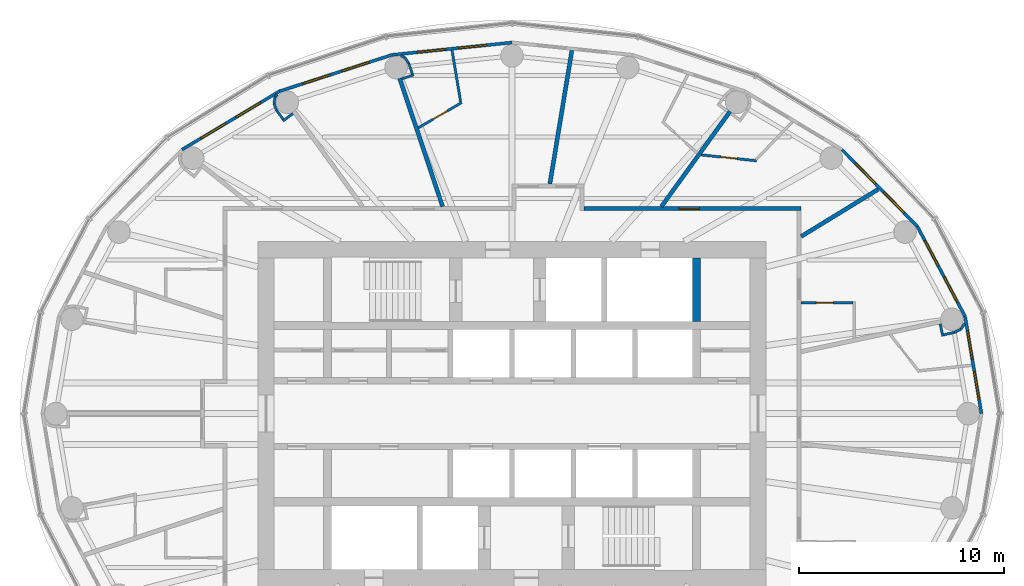
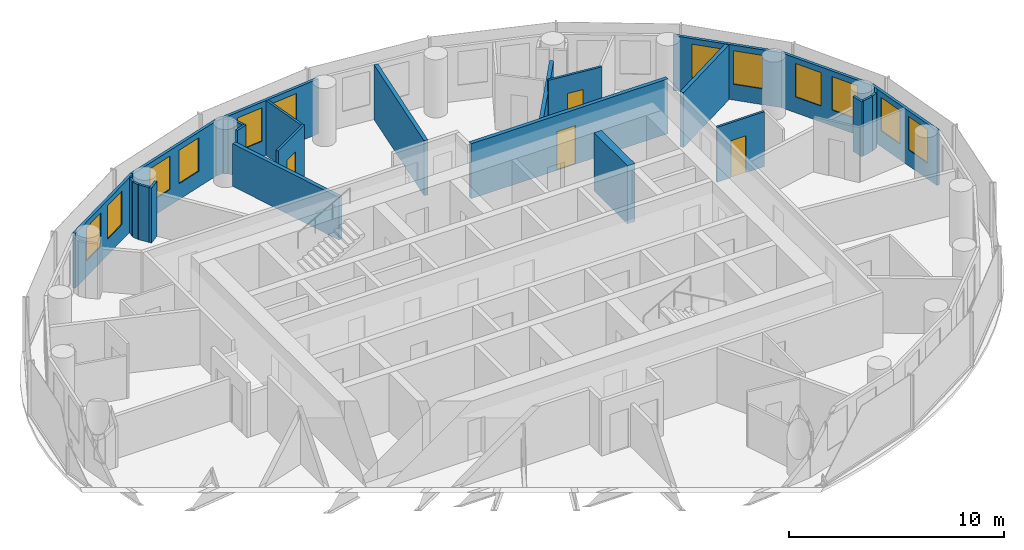
# One storey, part 11 of 13: 29 walls, 12 windows, 4 doors, 16 openings.
"""IFC4 building model written with IfcOpenShell, lengths in metres."""

from ifc_helpers import new_model, si_unit, direction, frame, frame_2d, origin, place, context, subcontext, project, spatial, rectangle, extrude, material, layer, layer_set, type_object, element, fill, save


model = new_model("IFC4")

# Units and contexts
model_context = context("Model", 3, precision=1e-05, world=origin(), true_north=direction((0.0, 1.0)))
body_context = subcontext(model_context, "Body", "Model", "MODEL_VIEW")
ifc_project = project(units=[si_unit("LENGTHUNIT", "METRE"), si_unit("AREAUNIT", "SQUARE_METRE"), si_unit("VOLUMEUNIT", "CUBIC_METRE"), si_unit("PLANEANGLEUNIT", "RADIAN"), si_unit("MASSUNIT", "GRAM", prefix="KILO")], contexts=[model_context])

# Site, building, storey
site_placement = place(None, origin())
site = spatial("IfcSite", under=ifc_project, at=site_placement, CompositionType="ELEMENT")
building_placement = place(site_placement, origin())
building = spatial("IfcBuilding", under=site, at=building_placement, Name="Hankou Lantern Tower", CompositionType="ELEMENT")
storey_placement = place(building_placement, frame((0.0, 0.0, 163.199951171875)))
storey = spatial("IfcBuildingStorey", under=building, at=storey_placement, Name="L43", CompositionType="ELEMENT", Elevation=163.199951171875)

# Wall
ifc_material_1 = material(Name="Concrete C60", Category="concrete")
ifc_layer_1 = layer(ifc_material_1, 0.39990234375)
ifc_layer_set_1 = layer_set([ifc_layer_1], Name="Concrete C60")
wall_type_1 = type_object("IfcWallType", Name="CW4 CORE CROSS WALL 400", PredefinedType="SHEAR", material=ifc_layer_set_1)
wall_1_placement = place(storey_placement, frame((9.0, 4.5, 0.0), z_axis=(0.0, 0.0, 1.0), x_axis=(0.0, 1.0, 0.0)))
element("IfcWall", 1, at=wall_1_placement, inside=storey, type_object=wall_type_1, Name="Core strip wall L43", PredefinedType="SHEAR", context=body_context, shape_type="SweptSolid", body=[
    extrude(rectangle(XDim=3.10009765625, YDim=0.39990234375, at=frame_2d((1.550048828125, 0.0))), origin(), (0.0, 0.0, 1.0), 3.300048828125),
])

# Wall, openings, windows
ifc_material_2 = material(Name="Aluminium spandrel panel on steel studs", Category="steel")
ifc_layer_2 = layer(ifc_material_2, 0.14990234375)
ifc_layer_set_2 = layer_set([ifc_layer_2], Name="Aluminium spandrel panel on steel studs")
wall_type_2 = type_object("IfcWallType", Name="EW1 INNER SKIN WALL 150", PredefinedType="ELEMENTEDWALL", material=ifc_layer_set_2)
wall_2_placement = place(storey_placement, frame((22.89990234375, 0.0, 0.0), z_axis=(0.0, 0.0, 1.0), x_axis=(-0.166162111254, 0.986098449843, 0.0)))
wall_2 = element("IfcWall", 2, at=wall_2_placement, inside=storey, type_object=wall_type_2, Name="Inner skin R01-R02 L43", PredefinedType="ELEMENTEDWALL", context=body_context, shape_type="SweptSolid", body=[
    extrude(rectangle(XDim=4.8046875, YDim=0.14990234375, at=frame_2d((2.40234375, 0.0))), origin(), (0.0, 0.0, 1.0), 3.1201171875),
])
opening_1_placement = place(wall_2_placement, frame((0.7021484375, 0.0, 0.89990234375)))
opening_1 = element("IfcOpeningElement", 3, at=opening_1_placement, cuts=wall_2, Name="Opening W3", PredefinedType="OPENING", context=body_context, shape_type="SweptSolid", body=[
    extrude(rectangle(XDim=1.39990234375, YDim=1.89990234375, at=frame_2d((0.699951171875, 0.949951171875))), frame((0.0, 0.0849609375, 0.0), z_axis=(0.0, -1.0, 0.0), x_axis=(1.0, 0.0, 0.0)), (0.0, 0.0, 1.0), 0.169921875),
])
opening_2_placement = place(wall_2_placement, frame((2.7021484375, 0.0, 0.89990234375)))
opening_2 = element("IfcOpeningElement", 4, at=opening_2_placement, cuts=wall_2, Name="Opening W3", PredefinedType="OPENING", context=body_context, shape_type="SweptSolid", body=[
    extrude(rectangle(XDim=1.39990234375, YDim=1.89990234375, at=frame_2d((0.699951171875, 0.949951171875))), frame((0.0, 0.0849609375, 0.0), z_axis=(0.0, -1.0, 0.0), x_axis=(1.0, 0.0, 0.0)), (0.0, 0.0, 1.0), 0.169921875),
])
ifc_material_3 = material(Name="Aluminium framed double glazed window", Category="aluminium")
window_type = type_object("IfcWindowType", Name="W3 GUEST ROOM WINDOW 1400X1900", PartitioningType="DOUBLE_PANEL_VERTICAL", PredefinedType="WINDOW", material=ifc_material_3)
window_1_placement = place(opening_1_placement, origin())
window_1 = element("IfcWindow", 5, at=window_1_placement, inside=storey, type_object=window_type, Name="Window R01.1 L43", OverallHeight=1.89990234375, OverallWidth=1.39990234375, PartitioningType="SINGLE_PANEL", PredefinedType="WINDOW", context=body_context, shape_type="SweptSolid", body=[
    extrude(rectangle(XDim=1.39990234375, YDim=1.89990234375, at=frame_2d((0.699951171875, 0.949951171875))), frame((0.0, 0.030029296875, 0.0), z_axis=(0.0, -1.0, 0.0), x_axis=(1.0, 0.0, 0.0)), (0.0, 0.0, 1.0), 0.06005859375),
])
fill(opening_1, window_1)
window_2_placement = place(opening_2_placement, origin())
window_2 = element("IfcWindow", 6, at=window_2_placement, inside=storey, type_object=window_type, Name="Window R01.2 L43", OverallHeight=1.89990234375, OverallWidth=1.39990234375, PartitioningType="SINGLE_PANEL", PredefinedType="WINDOW", context=body_context, shape_type="SweptSolid", body=[
    extrude(rectangle(XDim=1.39990234375, YDim=1.89990234375, at=frame_2d((0.699951171875, 0.949951171875))), frame((0.0, 0.030029296875, 0.0), z_axis=(0.0, -1.0, 0.0), x_axis=(1.0, 0.0, 0.0)), (0.0, 0.0, 1.0), 0.06005859375),
])
fill(opening_2, window_2)

wall_3_placement = place(storey_placement, frame((22.1015625, 4.73779296875, 0.0), z_axis=(0.0, 0.0, 1.0), x_axis=(-0.468428906714, 0.883501193748, 0.0)))
wall_3 = element("IfcWall", 7, at=wall_3_placement, inside=storey, type_object=wall_type_2, Name="Inner skin R02-R03 L43", PredefinedType="ELEMENTEDWALL", context=body_context, shape_type="SweptSolid", body=[
    extrude(rectangle(XDim=4.9736328125, YDim=0.14990234375, at=frame_2d((2.48681640625, 0.0))), origin(), (0.0, 0.0, 1.0), 3.1201171875),
])
opening_3_placement = place(wall_3_placement, frame((0.786865234375, 0.0, 0.89990234375)))
opening_3 = element("IfcOpeningElement", 8, at=opening_3_placement, cuts=wall_3, Name="Opening W3", PredefinedType="OPENING", context=body_context, shape_type="SweptSolid", body=[
    extrude(rectangle(XDim=1.39990234375, YDim=1.89990234375, at=frame_2d((0.699951171875, 0.949951171875))), frame((0.0, 0.0849609375, 0.0), z_axis=(0.0, -1.0, 0.0), x_axis=(1.0, 0.0, 0.0)), (0.0, 0.0, 1.0), 0.169921875),
])
opening_4_placement = place(wall_3_placement, frame((2.786865234375, 0.0, 0.89990234375)))
opening_4 = element("IfcOpeningElement", 9, at=opening_4_placement, cuts=wall_3, Name="Opening W3", PredefinedType="OPENING", context=body_context, shape_type="SweptSolid", body=[
    extrude(rectangle(XDim=1.39990234375, YDim=1.89990234375, at=frame_2d((0.699951171875, 0.949951171875))), frame((0.0, 0.0849609375, 0.0), z_axis=(0.0, -1.0, 0.0), x_axis=(1.0, 0.0, 0.0)), (0.0, 0.0, 1.0), 0.169921875),
])
window_3_placement = place(opening_3_placement, origin())
window_3 = element("IfcWindow", 10, at=window_3_placement, inside=storey, type_object=window_type, Name="Window R02.1 L43", OverallHeight=1.89990234375, OverallWidth=1.39990234375, PartitioningType="SINGLE_PANEL", PredefinedType="WINDOW", context=body_context, shape_type="SweptSolid", body=[
    extrude(rectangle(XDim=1.39990234375, YDim=1.89990234375, at=frame_2d((0.699951171875, 0.949951171875))), frame((0.0, 0.030029296875, 0.0), z_axis=(0.0, -1.0, 0.0), x_axis=(1.0, 0.0, 0.0)), (0.0, 0.0, 1.0), 0.06005859375),
])
fill(opening_3, window_3)
window_4_placement = place(opening_4_placement, origin())
window_4 = element("IfcWindow", 11, at=window_4_placement, inside=storey, type_object=window_type, Name="Window R02.2 L43", OverallHeight=1.89990234375, OverallWidth=1.39990234375, PartitioningType="SINGLE_PANEL", PredefinedType="WINDOW", context=body_context, shape_type="SweptSolid", body=[
    extrude(rectangle(XDim=1.39990234375, YDim=1.89990234375, at=frame_2d((0.699951171875, 0.949951171875))), frame((0.0, 0.030029296875, 0.0), z_axis=(0.0, -1.0, 0.0), x_axis=(1.0, 0.0, 0.0)), (0.0, 0.0, 1.0), 0.06005859375),
])
fill(opening_4, window_4)

wall_4_placement = place(storey_placement, frame((19.771728515625, 9.132080078125, 0.0), z_axis=(0.0, 0.0, 1.0), x_axis=(-0.700727467776, 0.71342905457, 0.0)))
wall_4 = element("IfcWall", 12, at=wall_4_placement, inside=storey, type_object=wall_type_2, Name="Inner skin R03-R04 L43", PredefinedType="ELEMENTEDWALL", context=body_context, shape_type="SweptSolid", body=[
    extrude(rectangle(XDim=5.247314453125, YDim=0.14990234375, at=frame_2d((2.62353515625, 0.0))), origin(), (0.0, 0.0, 1.0), 3.1201171875),
])
opening_5_placement = place(wall_4_placement, frame((0.923583984375, 0.0, 0.89990234375)))
opening_5 = element("IfcOpeningElement", 13, at=opening_5_placement, cuts=wall_4, Name="Opening W3", PredefinedType="OPENING", context=body_context, shape_type="SweptSolid", body=[
    extrude(rectangle(XDim=1.39990234375, YDim=1.89990234375, at=frame_2d((0.699951171875, 0.949951171875))), frame((0.0, 0.0849609375, 0.0), z_axis=(0.0, -1.0, 0.0), x_axis=(1.0, 0.0, 0.0)), (0.0, 0.0, 1.0), 0.169921875),
])
opening_6_placement = place(wall_4_placement, frame((2.923583984375, 0.0, 0.89990234375)))
opening_6 = element("IfcOpeningElement", 14, at=opening_6_placement, cuts=wall_4, Name="Opening W3", PredefinedType="OPENING", context=body_context, shape_type="SweptSolid", body=[
    extrude(rectangle(XDim=1.39990234375, YDim=1.89990234375, at=frame_2d((0.699951171875, 0.949951171875))), frame((0.0, 0.0849609375, 0.0), z_axis=(0.0, -1.0, 0.0), x_axis=(1.0, 0.0, 0.0)), (0.0, 0.0, 1.0), 0.169921875),
])
window_5_placement = place(opening_5_placement, origin())
window_5 = element("IfcWindow", 15, at=window_5_placement, inside=storey, type_object=window_type, Name="Window R03.1 L43", OverallHeight=1.89990234375, OverallWidth=1.39990234375, PartitioningType="SINGLE_PANEL", PredefinedType="WINDOW", context=body_context, shape_type="SweptSolid", body=[
    extrude(rectangle(XDim=1.39990234375, YDim=1.89990234375, at=frame_2d((0.699951171875, 0.949951171875))), frame((0.0, 0.030029296875, 0.0), z_axis=(0.0, -1.0, 0.0), x_axis=(1.0, 0.0, 0.0)), (0.0, 0.0, 1.0), 0.06005859375),
])
fill(opening_5, window_5)
window_6_placement = place(opening_6_placement, origin())
window_6 = element("IfcWindow", 16, at=window_6_placement, inside=storey, type_object=window_type, Name="Window R03.2 L43", OverallHeight=1.89990234375, OverallWidth=1.39990234375, PartitioningType="SINGLE_PANEL", PredefinedType="WINDOW", context=body_context, shape_type="SweptSolid", body=[
    extrude(rectangle(XDim=1.39990234375, YDim=1.89990234375, at=frame_2d((0.699951171875, 0.949951171875))), frame((0.0, 0.030029296875, 0.0), z_axis=(0.0, -1.0, 0.0), x_axis=(1.0, 0.0, 0.0)), (0.0, 0.0, 1.0), 0.06005859375),
])
fill(opening_6, window_6)

wall_5_placement = place(storey_placement, frame((0.0, 18.10009765625, 0.0), z_axis=(0.0, 0.0, 1.0), x_axis=(-0.994751738032, -0.102318032045, 0.0)))
wall_5 = element("IfcWall", 17, at=wall_5_placement, inside=storey, type_object=wall_type_2, Name="Inner skin R07-R08 L43", PredefinedType="ELEMENTEDWALL", context=body_context, shape_type="SweptSolid", body=[
    extrude(rectangle(XDim=5.891357421875, YDim=0.14990234375, at=frame_2d((2.94580078125, 0.0))), origin(), (0.0, 0.0, 1.0), 3.1201171875),
])
opening_7_placement = place(wall_5_placement, frame((1.24560546875, 0.0, 0.89990234375)))
opening_7 = element("IfcOpeningElement", 18, at=opening_7_placement, cuts=wall_5, Name="Opening W3", PredefinedType="OPENING", context=body_context, shape_type="SweptSolid", body=[
    extrude(rectangle(XDim=1.39990234375, YDim=1.89990234375, at=frame_2d((0.699951171875, 0.949951171875))), frame((0.0, 0.0849609375, 0.0), z_axis=(0.0, -1.0, 0.0), x_axis=(1.0, 0.0, 0.0)), (0.0, 0.0, 1.0), 0.169921875),
])
opening_8_placement = place(wall_5_placement, frame((3.24560546875, 0.0, 0.89990234375)))
opening_8 = element("IfcOpeningElement", 19, at=opening_8_placement, cuts=wall_5, Name="Opening W3", PredefinedType="OPENING", context=body_context, shape_type="SweptSolid", body=[
    extrude(rectangle(XDim=1.39990234375, YDim=1.89990234375, at=frame_2d((0.699951171875, 0.949951171875))), frame((0.0, 0.0849609375, 0.0), z_axis=(0.0, -1.0, 0.0), x_axis=(1.0, 0.0, 0.0)), (0.0, 0.0, 1.0), 0.169921875),
])
window_7_placement = place(opening_7_placement, origin())
window_7 = element("IfcWindow", 20, at=window_7_placement, inside=storey, type_object=window_type, Name="Window R07.1 L43", OverallHeight=1.89990234375, OverallWidth=1.39990234375, PartitioningType="SINGLE_PANEL", PredefinedType="WINDOW", context=body_context, shape_type="SweptSolid", body=[
    extrude(rectangle(XDim=1.39990234375, YDim=1.89990234375, at=frame_2d((0.699951171875, 0.949951171875))), frame((0.0, 0.030029296875, 0.0), z_axis=(0.0, -1.0, 0.0), x_axis=(1.0, 0.0, 0.0)), (0.0, 0.0, 1.0), 0.06005859375),
])
fill(opening_7, window_7)
window_8_placement = place(opening_8_placement, origin())
window_8 = element("IfcWindow", 21, at=window_8_placement, inside=storey, type_object=window_type, Name="Window R07.2 L43", OverallHeight=1.89990234375, OverallWidth=1.39990234375, PartitioningType="SINGLE_PANEL", PredefinedType="WINDOW", context=body_context, shape_type="SweptSolid", body=[
    extrude(rectangle(XDim=1.39990234375, YDim=1.89990234375, at=frame_2d((0.699951171875, 0.949951171875))), frame((0.0, 0.030029296875, 0.0), z_axis=(0.0, -1.0, 0.0), x_axis=(1.0, 0.0, 0.0)), (0.0, 0.0, 1.0), 0.06005859375),
])
fill(opening_8, window_8)

wall_6_placement = place(storey_placement, frame((-5.8603515625, 17.497314453125, 0.0), z_axis=(0.0, 0.0, 1.0), x_axis=(-0.951432482129, -0.307857486429, 0.0)))
wall_6 = element("IfcWall", 22, at=wall_6_placement, inside=storey, type_object=wall_type_2, Name="Inner skin R08-R09 L43", PredefinedType="ELEMENTEDWALL", context=body_context, shape_type="SweptSolid", body=[
    extrude(rectangle(XDim=5.76611328125, YDim=0.14990234375, at=frame_2d((2.883056640625, 0.0))), origin(), (0.0, 0.0, 1.0), 3.1201171875),
])
opening_9_placement = place(wall_6_placement, frame((1.18310546875, 0.0, 0.89990234375)))
opening_9 = element("IfcOpeningElement", 23, at=opening_9_placement, cuts=wall_6, Name="Opening W3", PredefinedType="OPENING", context=body_context, shape_type="SweptSolid", body=[
    extrude(rectangle(XDim=1.39990234375, YDim=1.89990234375, at=frame_2d((0.699951171875, 0.949951171875))), frame((0.0, 0.0849609375, 0.0), z_axis=(0.0, -1.0, 0.0), x_axis=(1.0, 0.0, 0.0)), (0.0, 0.0, 1.0), 0.169921875),
])
opening_10_placement = place(wall_6_placement, frame((3.18310546875, 0.0, 0.89990234375)))
opening_10 = element("IfcOpeningElement", 24, at=opening_10_placement, cuts=wall_6, Name="Opening W3", PredefinedType="OPENING", context=body_context, shape_type="SweptSolid", body=[
    extrude(rectangle(XDim=1.39990234375, YDim=1.89990234375, at=frame_2d((0.699951171875, 0.949951171875))), frame((0.0, 0.0849609375, 0.0), z_axis=(0.0, -1.0, 0.0), x_axis=(1.0, 0.0, 0.0)), (0.0, 0.0, 1.0), 0.169921875),
])
window_9_placement = place(opening_9_placement, origin())
window_9 = element("IfcWindow", 25, at=window_9_placement, inside=storey, type_object=window_type, Name="Window R08.1 L43", OverallHeight=1.89990234375, OverallWidth=1.39990234375, PartitioningType="SINGLE_PANEL", PredefinedType="WINDOW", context=body_context, shape_type="SweptSolid", body=[
    extrude(rectangle(XDim=1.39990234375, YDim=1.89990234375, at=frame_2d((0.699951171875, 0.949951171875))), frame((0.0, 0.030029296875, 0.0), z_axis=(0.0, -1.0, 0.0), x_axis=(1.0, 0.0, 0.0)), (0.0, 0.0, 1.0), 0.06005859375),
])
fill(opening_9, window_9)
window_10_placement = place(opening_10_placement, origin())
window_10 = element("IfcWindow", 26, at=window_10_placement, inside=storey, type_object=window_type, Name="Window R08.2 L43", OverallHeight=1.89990234375, OverallWidth=1.39990234375, PartitioningType="SINGLE_PANEL", PredefinedType="WINDOW", context=body_context, shape_type="SweptSolid", body=[
    extrude(rectangle(XDim=1.39990234375, YDim=1.89990234375, at=frame_2d((0.699951171875, 0.949951171875))), frame((0.0, 0.030029296875, 0.0), z_axis=(0.0, -1.0, 0.0), x_axis=(1.0, 0.0, 0.0)), (0.0, 0.0, 1.0), 0.06005859375),
])
fill(opening_10, window_10)

wall_7_placement = place(storey_placement, frame((-11.346435546875, 15.72216796875, 0.0), z_axis=(0.0, 0.0, 1.0), x_axis=(-0.857695199231, -0.514158482587, 0.0)))
wall_7 = element("IfcWall", 27, at=wall_7_placement, inside=storey, type_object=wall_type_2, Name="Inner skin R09-R10 L43", PredefinedType="ELEMENTEDWALL", context=body_context, shape_type="SweptSolid", body=[
    extrude(rectangle(XDim=5.5361328125, YDim=0.14990234375, at=frame_2d((2.76806640625, 0.0))), origin(), (0.0, 0.0, 1.0), 3.1201171875),
])
opening_11_placement = place(wall_7_placement, frame((1.068115234375, 0.0, 0.89990234375)))
opening_11 = element("IfcOpeningElement", 28, at=opening_11_placement, cuts=wall_7, Name="Opening W3", PredefinedType="OPENING", context=body_context, shape_type="SweptSolid", body=[
    extrude(rectangle(XDim=1.39990234375, YDim=1.89990234375, at=frame_2d((0.699951171875, 0.949951171875))), frame((0.0, 0.0849609375, 0.0), z_axis=(0.0, -1.0, 0.0), x_axis=(1.0, 0.0, 0.0)), (0.0, 0.0, 1.0), 0.169921875),
])
opening_12_placement = place(wall_7_placement, frame((3.068115234375, 0.0, 0.89990234375)))
opening_12 = element("IfcOpeningElement", 29, at=opening_12_placement, cuts=wall_7, Name="Opening W3", PredefinedType="OPENING", context=body_context, shape_type="SweptSolid", body=[
    extrude(rectangle(XDim=1.39990234375, YDim=1.89990234375, at=frame_2d((0.699951171875, 0.949951171875))), frame((0.0, 0.0849609375, 0.0), z_axis=(0.0, -1.0, 0.0), x_axis=(1.0, 0.0, 0.0)), (0.0, 0.0, 1.0), 0.169921875),
])
window_11_placement = place(opening_11_placement, origin())
window_11 = element("IfcWindow", 30, at=window_11_placement, inside=storey, type_object=window_type, Name="Window R09.1 L43", OverallHeight=1.89990234375, OverallWidth=1.39990234375, PartitioningType="SINGLE_PANEL", PredefinedType="WINDOW", context=body_context, shape_type="SweptSolid", body=[
    extrude(rectangle(XDim=1.39990234375, YDim=1.89990234375, at=frame_2d((0.699951171875, 0.949951171875))), frame((0.0, 0.030029296875, 0.0), z_axis=(0.0, -1.0, 0.0), x_axis=(1.0, 0.0, 0.0)), (0.0, 0.0, 1.0), 0.06005859375),
])
fill(opening_11, window_11)
window_12_placement = place(opening_12_placement, origin())
window_12 = element("IfcWindow", 31, at=window_12_placement, inside=storey, type_object=window_type, Name="Window R09.2 L43", OverallHeight=1.89990234375, OverallWidth=1.39990234375, PartitioningType="SINGLE_PANEL", PredefinedType="WINDOW", context=body_context, shape_type="SweptSolid", body=[
    extrude(rectangle(XDim=1.39990234375, YDim=1.89990234375, at=frame_2d((0.699951171875, 0.949951171875))), frame((0.0, 0.030029296875, 0.0), z_axis=(0.0, -1.0, 0.0), x_axis=(1.0, 0.0, 0.0)), (0.0, 0.0, 1.0), 0.06005859375),
])
fill(opening_12, window_12)

# Walls
ifc_material_4 = material(Name="Masonry lightweight concrete block", Category="masonry")
ifc_layer_3 = layer(ifc_material_4, 0.199951171875)
ifc_layer_set_3 = layer_set([ifc_layer_3], Name="Masonry lightweight concrete block")
wall_type_3 = type_object("IfcWallType", Name="IW1 GUEST ROOM PARTY WALL 200", PredefinedType="PARTITIONING", material=ifc_layer_set_3)
wall_8_placement = place(storey_placement, frame((14.10009765625, 8.63623046875, 0.0), z_axis=(0.0, 0.0, 1.0), x_axis=(0.852731884196, 0.522348862041, 0.0)))
element("IfcWall", 32, at=wall_8_placement, inside=storey, type_object=wall_type_3, Name="Party wall R03-R04", PredefinedType="PARTITIONING", context=body_context, shape_type="SweptSolid", body=[
    extrude(rectangle(XDim=4.404296875, YDim=0.199951171875, at=frame_2d((2.2021484375, 0.0))), origin(), (0.0, 0.0, 1.0), 3.1201171875),
])
wall_9_placement = place(storey_placement, frame((7.2890625, 10.10009765625, 0.0), z_axis=(0.0, 0.0, 1.0), x_axis=(0.585222595178, 0.810872686735, 0.0)))
element("IfcWall", 33, at=wall_9_placement, inside=storey, type_object=wall_type_3, Name="Party wall R05", PredefinedType="PARTITIONING", context=body_context, shape_type="SweptSolid", body=[
    extrude(rectangle(XDim=5.722412109375, YDim=0.199951171875, at=frame_2d((2.861328125, 0.0))), origin(), (0.0, 0.0, 1.0), 2.420166015625),
])
wall_10_placement = place(storey_placement, frame((1.8466796875, 11.199951171875, 0.0), z_axis=(0.0, 0.0, 1.0), x_axis=(0.162695449404, 0.986676335352, 0.0)))
element("IfcWall", 34, at=wall_10_placement, inside=storey, type_object=wall_type_3, Name="Party wall R06-R07", PredefinedType="PARTITIONING", context=body_context, shape_type="SweptSolid", body=[
    extrude(rectangle(XDim=6.60107421875, YDim=0.199951171875, at=frame_2d((3.300537109375, 0.0))), origin(), (0.0, 0.0, 1.0), 3.1201171875),
])

# Wall, opening, door
ifc_material_5 = material(Name="Masonry lightweight concrete block", Category="masonry")
ifc_layer_4 = layer(ifc_material_5, 0.199951171875)
ifc_layer_set_4 = layer_set([ifc_layer_4], Name="Masonry lightweight concrete block")
wall_type_4 = type_object("IfcWallType", Name="IW2 CORRIDOR WALL 200", PredefinedType="PARTITIONING", material=ifc_layer_set_4)
wall_11_placement = place(storey_placement, frame((3.51806640625, 10.0, 0.0), z_axis=(0.0, 0.0, 1.0), x_axis=(1.0, 0.0, 0.0)))
wall_11 = element("IfcWall", 35, at=wall_11_placement, inside=storey, type_object=wall_type_4, Name="Corridor wall north", PredefinedType="PARTITIONING", context=body_context, shape_type="SweptSolid", body=[
    extrude(rectangle(XDim=10.58203125, YDim=0.199951171875, at=frame_2d((5.291015625, 0.0))), origin(), (0.0, 0.0, 1.0), 3.1201171875),
])
opening_13_placement = place(wall_11_placement, frame((4.620849609375, 0.0, 0.0)))
opening_13 = element("IfcOpeningElement", 36, at=opening_13_placement, cuts=wall_11, Name="Opening D1", PredefinedType="OPENING", context=body_context, shape_type="SweptSolid", body=[
    extrude(rectangle(XDim=1.0, YDim=2.199951171875, at=frame_2d((0.5, 1.10009765625))), frame((0.0, 0.10986328125, 0.0), z_axis=(0.0, -1.0, 0.0), x_axis=(1.0, 0.0, 0.0)), (0.0, 0.0, 1.0), 0.219970703125),
])
ifc_material_6 = material(Name="Steel door leaf", Category="steel")
door_type_1 = type_object("IfcDoorType", Name="D1 GUEST ROOM DOOR 1000X2200", OperationType="SINGLE_SWING_LEFT", PredefinedType="DOOR", material=ifc_material_6)
door_1_placement = place(opening_13_placement, origin())
door_1 = element("IfcDoor", 37, at=door_1_placement, inside=storey, type_object=door_type_1, Name="Guest room door 4313", OperationType="SINGLE_SWING_LEFT", OverallHeight=2.199951171875, OverallWidth=1.0, PredefinedType="DOOR", context=body_context, shape_type="SweptSolid", body=[
    extrude(rectangle(XDim=1.0, YDim=2.199951171875, at=frame_2d((0.5, 1.10009765625))), frame((0.0, 0.02490234375, 0.0), z_axis=(0.0, -1.0, 0.0), x_axis=(1.0, 0.0, 0.0)), (0.0, 0.0, 1.0), 0.050048828125),
])
fill(opening_13, door_1)

# Walls
ifc_material_7 = material(Name="Masonry lightweight concrete block", Category="masonry")
ifc_layer_5 = layer(ifc_material_7, 0.1201171875)
ifc_layer_set_5 = layer_set([ifc_layer_5], Name="Masonry lightweight concrete block")
wall_type_5 = type_object("IfcWallType", Name="IW3 BATHROOM WALL 120", PredefinedType="PARTITIONING", material=ifc_layer_set_5)
wall_12_placement = place(storey_placement, frame((20.88720703125, 4.375, 0.0), z_axis=(0.0, 0.0, 1.0), x_axis=(0.209746941802, -0.977755705892, 0.0)))
element("IfcWall", 38, at=wall_12_placement, inside=storey, type_object=wall_type_5, Name="Column casing 4311 return", PredefinedType="PARTITIONING", context=body_context, shape_type="SweptSolid", body=[
    extrude(rectangle(XDim=0.6123046875, YDim=0.1201171875, at=frame_2d((0.30615234375, 0.0))), origin(), (0.0, 0.0, 1.0), 3.1201171875),
])
wall_13_placement = place(storey_placement, frame((21.061767578125, 3.84765625, 0.0), z_axis=(0.0, 0.0, 1.0), x_axis=(0.977789415726, 0.209589738521, 0.0)))
element("IfcWall", 39, at=wall_13_placement, inside=storey, type_object=wall_type_5, Name="Column casing 4311", PredefinedType="PARTITIONING", context=body_context, shape_type="SweptSolid", body=[
    extrude(rectangle(XDim=0.5498046875, YDim=0.1201171875, at=frame_2d((0.27490234375, 0.0))), origin(), (0.0, 0.0, 1.0), 3.1201171875),
])
wall_14_placement = place(storey_placement, frame((21.599365234375, 3.962890625, 0.0), z_axis=(0.0, 0.0, 1.0), x_axis=(0.890193602875, 0.455582428766, 0.0)))
element("IfcWall", 40, at=wall_14_placement, inside=storey, type_object=wall_type_5, Name="Column casing 4311", PredefinedType="PARTITIONING", context=body_context, shape_type="SweptSolid", body=[
    extrude(rectangle(XDim=0.337646484375, YDim=0.1201171875, at=frame_2d((0.1689453125, 0.0))), origin(), (0.0, 0.0, 1.0), 3.1201171875),
])
wall_15_placement = place(storey_placement, frame((21.89990234375, 4.11669921875, 0.0), z_axis=(0.0, 0.0, 1.0), x_axis=(0.543582688681, 0.839355622228, 0.0)))
element("IfcWall", 41, at=wall_15_placement, inside=storey, type_object=wall_type_5, Name="Column casing 4311", PredefinedType="PARTITIONING", context=body_context, shape_type="SweptSolid", body=[
    extrude(rectangle(XDim=0.3359375, YDim=0.1201171875, at=frame_2d((0.16796875, 0.0))), origin(), (0.0, 0.0, 1.0), 3.1201171875),
])

# Wall, opening, door
wall_16_placement = place(storey_placement, frame((14.10009765625, 5.402587890625, 0.0), z_axis=(0.0, 0.0, 1.0), x_axis=(1.0, 0.0, 0.0)))
wall_16 = element("IfcWall", 42, at=wall_16_placement, inside=storey, type_object=wall_type_5, Name="Box wall 4312 1", PredefinedType="PARTITIONING", context=body_context, shape_type="SweptSolid", body=[
    extrude(rectangle(XDim=2.539794921875, YDim=0.1201171875, at=frame_2d((1.27001953125, 0.0))), origin(), (0.0, 0.0, 1.0), 3.1201171875),
])
opening_14_placement = place(wall_16_placement, frame((0.75, 0.0, 0.0)))
opening_14 = element("IfcOpeningElement", 43, at=opening_14_placement, cuts=wall_16, Name="Opening D3", PredefinedType="OPENING", context=body_context, shape_type="SweptSolid", body=[
    extrude(rectangle(XDim=0.800048828125, YDim=2.10009765625, at=frame_2d((0.39990234375, 1.050048828125))), frame((0.0, 0.070068359375, 0.0), z_axis=(0.0, -1.0, 0.0), x_axis=(1.0, 0.0, 0.0)), (0.0, 0.0, 1.0), 0.14013671875),
])
ifc_material_8 = material(Name="Timber door leaf", Category="wood")
door_type_2 = type_object("IfcDoorType", Name="D3 BATHROOM DOOR 800X2100", OperationType="SINGLE_SWING_LEFT", PredefinedType="DOOR", material=ifc_material_8)
door_2_placement = place(opening_14_placement, origin())
door_2 = element("IfcDoor", 44, at=door_2_placement, inside=storey, type_object=door_type_2, Name="En-suite bathroom 4312 door", OperationType="SINGLE_SWING_LEFT", OverallHeight=2.10009765625, OverallWidth=0.800048828125, PredefinedType="DOOR", context=body_context, shape_type="SweptSolid", body=[
    extrude(rectangle(XDim=0.800048828125, YDim=2.10009765625, at=frame_2d((0.39990234375, 1.050048828125))), frame((0.0, 0.02490234375, 0.0), z_axis=(0.0, -1.0, 0.0), x_axis=(1.0, 0.0, 0.0)), (0.0, 0.0, 1.0), 0.050048828125),
])
fill(opening_14, door_2)

wall_17_placement = place(storey_placement, frame((9.23095703125, 12.619873046875, 0.0), z_axis=(0.0, 0.0, 1.0), x_axis=(0.99437860496, -0.10588290701, 0.0)))
wall_17 = element("IfcWall", 45, at=wall_17_placement, inside=storey, type_object=wall_type_5, Name="Box wall 4313 1", PredefinedType="PARTITIONING", context=body_context, shape_type="SweptSolid", body=[
    extrude(rectangle(XDim=2.70458984375, YDim=0.1201171875, at=frame_2d((1.352294921875, 0.0))), origin(), (0.0, 0.0, 1.0), 3.1201171875),
])
opening_15_placement = place(wall_17_placement, frame((0.952392578125, 0.0, 0.0)))
opening_15 = element("IfcOpeningElement", 46, at=opening_15_placement, cuts=wall_17, Name="Opening D3", PredefinedType="OPENING", context=body_context, shape_type="SweptSolid", body=[
    extrude(rectangle(XDim=0.800048828125, YDim=2.10009765625, at=frame_2d((0.39990234375, 1.050048828125))), frame((0.0, 0.070068359375, 0.0), z_axis=(0.0, -1.0, 0.0), x_axis=(1.0, 0.0, 0.0)), (0.0, 0.0, 1.0), 0.14013671875),
])
door_3_placement = place(opening_15_placement, origin())
door_3 = element("IfcDoor", 47, at=door_3_placement, inside=storey, type_object=door_type_2, Name="En-suite bathroom 4313 door", OperationType="SINGLE_SWING_LEFT", OverallHeight=2.10009765625, OverallWidth=0.800048828125, PredefinedType="DOOR", context=body_context, shape_type="SweptSolid", body=[
    extrude(rectangle(XDim=0.800048828125, YDim=2.10009765625, at=frame_2d((0.39990234375, 1.050048828125))), frame((0.0, 0.02490234375, 0.0), z_axis=(0.0, -1.0, 0.0), x_axis=(1.0, 0.0, 0.0)), (0.0, 0.0, 1.0), 0.050048828125),
])
fill(opening_15, door_3)

wall_18_placement = place(storey_placement, frame((-4.564208984375, 13.94189453125, 0.0), z_axis=(0.0, 0.0, 1.0), x_axis=(0.863717519451, 0.503976236139, 0.0)))
wall_18 = element("IfcWall", 48, at=wall_18_placement, inside=storey, type_object=wall_type_5, Name="Box wall 4315 1", PredefinedType="PARTITIONING", context=body_context, shape_type="SweptSolid", body=[
    extrude(rectangle(XDim=2.45263671875, YDim=0.1201171875, at=frame_2d((1.226318359375, 0.0))), origin(), (0.0, 0.0, 1.0), 3.1201171875),
])
opening_16_placement = place(wall_18_placement, frame((0.826171875, 0.0, 0.0)))
opening_16 = element("IfcOpeningElement", 49, at=opening_16_placement, cuts=wall_18, Name="Opening D3", PredefinedType="OPENING", context=body_context, shape_type="SweptSolid", body=[
    extrude(rectangle(XDim=0.800048828125, YDim=2.10009765625, at=frame_2d((0.39990234375, 1.050048828125))), frame((0.0, 0.070068359375, 0.0), z_axis=(0.0, -1.0, 0.0), x_axis=(1.0, 0.0, 0.0)), (0.0, 0.0, 1.0), 0.14013671875),
])
door_4_placement = place(opening_16_placement, origin())
door_4 = element("IfcDoor", 50, at=door_4_placement, inside=storey, type_object=door_type_2, Name="En-suite bathroom 4315 door", OperationType="SINGLE_SWING_LEFT", OverallHeight=2.10009765625, OverallWidth=0.800048828125, PredefinedType="DOOR", context=body_context, shape_type="SweptSolid", body=[
    extrude(rectangle(XDim=0.800048828125, YDim=2.10009765625, at=frame_2d((0.39990234375, 1.050048828125))), frame((0.0, 0.02490234375, 0.0), z_axis=(0.0, -1.0, 0.0), x_axis=(1.0, 0.0, 0.0)), (0.0, 0.0, 1.0), 0.050048828125),
])
fill(opening_16, door_4)

# Walls
wall_19_placement = place(storey_placement, frame((-2.507568359375, 15.20703125, 0.0), z_axis=(0.0, 0.0, 1.0), x_axis=(-0.162637365963, 0.986685911115, 0.0)))
element("IfcWall", 51, at=wall_19_placement, inside=storey, type_object=wall_type_5, Name="Box wall 4315 2", PredefinedType="PARTITIONING", context=body_context, shape_type="SweptSolid", body=[
    extrude(rectangle(XDim=2.5400390625, YDim=0.1201171875, at=frame_2d((1.27001953125, 0.0))), origin(), (0.0, 0.0, 1.0), 3.1201171875),
])
wall_20_placement = place(storey_placement, frame((-5.3642578125, 16.330810546875, 0.0), z_axis=(0.0, 0.0, 1.0), x_axis=(0.948283770087, 0.317423835572, 0.0)))
element("IfcWall", 52, at=wall_20_placement, inside=storey, type_object=wall_type_5, Name="Column casing 4315 return", PredefinedType="PARTITIONING", context=body_context, shape_type="SweptSolid", body=[
    extrude(rectangle(XDim=0.6123046875, YDim=0.1201171875, at=frame_2d((0.30615234375, 0.0))), origin(), (0.0, 0.0, 1.0), 3.1201171875),
])
wall_21_placement = place(storey_placement, frame((-4.859619140625, 16.56298828125, 0.0), z_axis=(0.0, 0.0, 1.0), x_axis=(-0.317825321803, 0.948149284038, 0.0)))
element("IfcWall", 53, at=wall_21_placement, inside=storey, type_object=wall_type_5, Name="Column casing 4315", PredefinedType="PARTITIONING", context=body_context, shape_type="SweptSolid", body=[
    extrude(rectangle(XDim=0.550048828125, YDim=0.1201171875, at=frame_2d((0.27490234375, 0.0))), origin(), (0.0, 0.0, 1.0), 3.1201171875),
])
wall_22_placement = place(storey_placement, frame((-5.034423828125, 17.08447265625, 0.0), z_axis=(0.0, 0.0, 1.0), x_axis=(-0.552362205726, 0.833604218851, 0.0)))
element("IfcWall", 54, at=wall_22_placement, inside=storey, type_object=wall_type_5, Name="Column casing 4315", PredefinedType="PARTITIONING", context=body_context, shape_type="SweptSolid", body=[
    extrude(rectangle(XDim=0.337646484375, YDim=0.1201171875, at=frame_2d((0.1689453125, 0.0))), origin(), (0.0, 0.0, 1.0), 3.1201171875),
])
wall_23_placement = place(storey_placement, frame((-5.220947265625, 17.365966796875, 0.0), z_axis=(0.0, 0.0, 1.0), x_axis=(-0.895067896179, 0.445929883759, 0.0)))
element("IfcWall", 55, at=wall_23_placement, inside=storey, type_object=wall_type_5, Name="Column casing 4315", PredefinedType="PARTITIONING", context=body_context, shape_type="SweptSolid", body=[
    extrude(rectangle(XDim=0.228271484375, YDim=0.1201171875, at=frame_2d((0.1142578125, 0.0))), origin(), (0.0, 0.0, 1.0), 3.1201171875),
])
ifc_material_9 = material(Name="Masonry lightweight concrete block", Category="masonry")
ifc_layer_6 = layer(ifc_material_9, 0.1201171875)
ifc_layer_set_6 = layer_set([ifc_layer_6], Name="Masonry lightweight concrete block")
wall_type_6 = type_object("IfcWallType", Name="IW4 PARTITION 120", PredefinedType="PARTITIONING", material=ifc_layer_set_6)
wall_24_placement = place(storey_placement, frame((-10.683837890625, 14.633056640625, 0.0), z_axis=(0.0, 0.0, 1.0), x_axis=(-0.810921075692, -0.585155542568, 0.0)))
element("IfcWall", 56, at=wall_24_placement, inside=storey, type_object=wall_type_6, Name="Column casing R09 return", PredefinedType="PARTITIONING", context=body_context, shape_type="SweptSolid", body=[
    extrude(rectangle(XDim=0.612060546875, YDim=0.1201171875, at=frame_2d((0.30615234375, 0.0))), origin(), (0.0, 0.0, 1.0), 3.1201171875),
])
wall_25_placement = place(storey_placement, frame((-11.166748046875, 14.358642578125, 0.0), z_axis=(0.0, 0.0, 1.0), x_axis=(-0.585263549799, 0.810843127415, 0.0)))
element("IfcWall", 57, at=wall_25_placement, inside=storey, type_object=wall_type_6, Name="Column casing R09", PredefinedType="PARTITIONING", context=body_context, shape_type="SweptSolid", body=[
    extrude(rectangle(XDim=0.5498046875, YDim=0.1201171875, at=frame_2d((0.27490234375, 0.0))), origin(), (0.0, 0.0, 1.0), 3.1201171875),
])
for number, where, z_axis, x_axis, name in (
    (58, (-11.488525390625, 14.804443359375, 0.0), (0.0, 0.0, 1.0), (-0.355634599475, 0.934625075448, 0.0), "Column casing R09"),
    (59, (-11.608642578125, 15.1201171875, 0.0), (0.0, 0.0, 1.0), (0.159823572519, 0.987145594969, 0.0), "Column casing R09"),
):
    element("IfcWall", number, at=place(storey_placement, frame(where, z_axis=z_axis, x_axis=x_axis)), inside=storey, type_object=wall_type_6, Name=name, PredefinedType="PARTITIONING", context=body_context, shape_type="SweptSolid", body=[
        extrude(rectangle(XDim=0.337646484375, YDim=0.1201171875, at=frame_2d((0.1689453125, 0.0))), origin(), (0.0, 0.0, 1.0), 3.1201171875),
    ])
wall_26_placement = place(storey_placement, frame((-11.5546875, 15.453369140625, 0.0), z_axis=(0.0, 0.0, 1.0), x_axis=(0.631711901025, 0.775203246964, 0.0)))
element("IfcWall", 60, at=wall_26_placement, inside=storey, type_object=wall_type_6, Name="Column casing R09", PredefinedType="PARTITIONING", context=body_context, shape_type="SweptSolid", body=[
    extrude(rectangle(XDim=0.139404296875, YDim=0.1201171875, at=frame_2d((0.06982421875, 0.0))), origin(), (0.0, 0.0, 1.0), 3.1201171875),
])
ifc_material_10 = material(Name="Masonry lightweight concrete block", Category="masonry")
ifc_layer_7 = layer(ifc_material_10, 0.199951171875)
ifc_layer_set_7 = layer_set([ifc_layer_7], Name="Masonry lightweight concrete block")
wall_type_7 = type_object("IfcWallType", Name="IW8 PARTITION 200", PredefinedType="PARTITIONING", material=ifc_layer_set_7)
wall_27_placement = place(storey_placement, frame((-3.3828125, 10.10009765625, 0.0), z_axis=(0.0, 0.0, 1.0), x_axis=(-0.317615120474, 0.948219718866, 0.0)))
element("IfcWall", 61, at=wall_27_placement, inside=storey, type_object=wall_type_7, Name="Partition R08", PredefinedType="PARTITIONING", context=body_context, shape_type="SweptSolid", body=[
    extrude(rectangle(XDim=6.597412109375, YDim=0.199951171875, at=frame_2d((3.298828125, 0.0))), origin(), (0.0, 0.0, 1.0), 2.420166015625),
])

save(model, "model.ifc")
